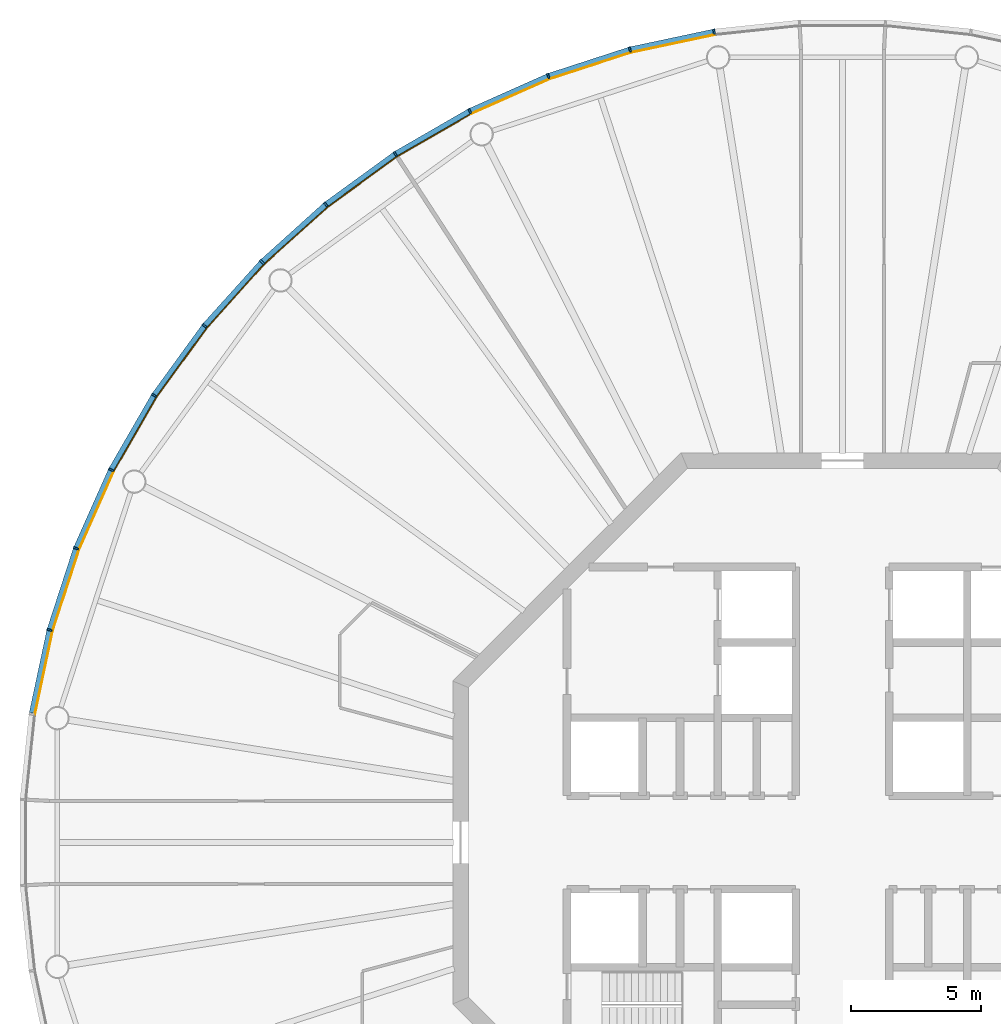
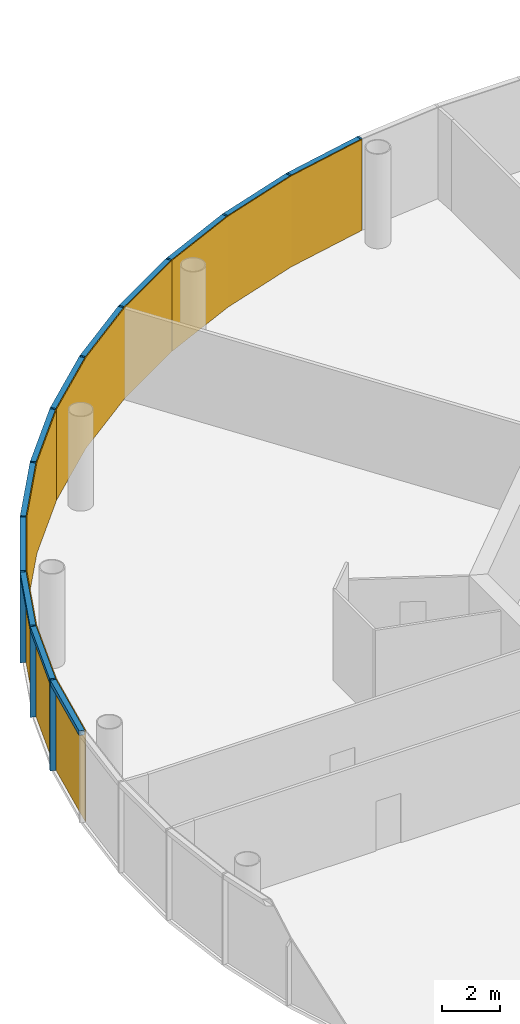
# One storey, part 10 of 13: 24 members, 4 curtain walls.
"""IFC4 building model written with IfcOpenShell, lengths in metres."""

from ifc_helpers import new_model, si_unit, direction, frame, origin, origin_2d, place, context, subcontext, project, spatial, polyline, rectangle, outline, extrude, material, layer, layer_set, material_profile, profile_set, type_object, element, aggregate, save


model = new_model("IFC4")

# Units and contexts
model_context = context("Model", 3, precision=1e-05, world=origin(), true_north=direction((0.0, 1.0)))
body_context = subcontext(model_context, "Body", "Model", "MODEL_VIEW")
ifc_project = project(units=[si_unit("LENGTHUNIT", "METRE"), si_unit("AREAUNIT", "SQUARE_METRE"), si_unit("VOLUMEUNIT", "CUBIC_METRE"), si_unit("PLANEANGLEUNIT", "RADIAN"), si_unit("MASSUNIT", "GRAM", prefix="KILO")], contexts=[model_context])

# Member
ifc_material_1 = material(Name="Anodised aluminium", Category="aluminium")
ifc_material_profile_1 = material_profile(ifc_material_1, rectangle(XDim=0.070068359375, YDim=0.205078125, at=origin_2d()), Name="Mullion 70 x 205 mm anodised aluminium")
ifc_profile_set_1 = profile_set([ifc_material_profile_1], Name="Anodised aluminium")
member_type_1 = type_object("IfcMemberType", Name="Mullion 70 x 205 mm anodised aluminium", PredefinedType="MULLION", material=ifc_profile_set_1)
site_placement = place(None, origin())
building_placement = place(site_placement, origin())
storey_placement = place(building_placement, frame((0.0, 0.0, 340.0)))
member_1_placement = place(storey_placement, frame((85.056396484375, 111.21337890625, 0.0), z_axis=(0.0, 0.0, 1.0), x_axis=(-0.987688340595, -0.15643446504, 0.0)))
member_1 = element("IfcMember", 1, at=member_1_placement, type_object=member_type_1, Name="MULLION L78-15", PredefinedType="MULLION", context=body_context, shape_type="SweptSolid", body=[
    extrude(rectangle(XDim=0.070068359375, YDim=0.205078125, at=origin_2d()), origin(), (0.0, 0.0, 1.0), 3.85009765625),
])

member_2_placement = place(storey_placement, frame((81.820556640625, 110.525634765625, 0.0), z_axis=(0.0, 0.0, 1.0), x_axis=(-0.965925826289, -0.258819045103, 0.0)))
member_2 = element("IfcMember", 2, at=member_2_placement, type_object=member_type_1, Name="MULLION L78-16", PredefinedType="MULLION", context=body_context, shape_type="SweptSolid", body=[
    extrude(rectangle(XDim=0.070068359375, YDim=0.205078125, at=origin_2d()), origin(), (0.0, 0.0, 1.0), 3.85009765625),
])

member_3_placement = place(storey_placement, frame((78.674560546875, 109.50341796875, 0.0), z_axis=(0.0, 0.0, 1.0), x_axis=(-0.933580426497, -0.358367949545, 0.0)))
member_3 = element("IfcMember", 3, at=member_3_placement, type_object=member_type_1, Name="MULLION L78-17", PredefinedType="MULLION", context=body_context, shape_type="SweptSolid", body=[
    extrude(rectangle(XDim=0.070068359375, YDim=0.205078125, at=origin_2d()), origin(), (0.0, 0.0, 1.0), 3.85009765625),
])

member_4_placement = place(storey_placement, frame((75.65283203125, 108.157958984375, 0.0), z_axis=(0.0, 0.0, 1.0), x_axis=(-0.891006524188, -0.45399049974, 0.0)))
member_4 = element("IfcMember", 4, at=member_4_placement, type_object=member_type_1, Name="MULLION L78-18", PredefinedType="MULLION", context=body_context, shape_type="SweptSolid", body=[
    extrude(rectangle(XDim=0.070068359375, YDim=0.205078125, at=origin_2d()), origin(), (0.0, 0.0, 1.0), 3.85009765625),
])

member_5_placement = place(storey_placement, frame((72.7880859375, 106.504150390625, 0.0), z_axis=(0.0, 0.0, 1.0), x_axis=(-0.838670567945, -0.544639035015, 0.0)))
member_5 = element("IfcMember", 5, at=member_5_placement, type_object=member_type_1, Name="MULLION L78-19", PredefinedType="MULLION", context=body_context, shape_type="SweptSolid", body=[
    extrude(rectangle(XDim=0.070068359375, YDim=0.205078125, at=origin_2d()), origin(), (0.0, 0.0, 1.0), 3.85009765625),
])

member_6_placement = place(storey_placement, frame((70.11181640625, 104.559814453125, 0.0), z_axis=(0.0, 0.0, 1.0), x_axis=(-0.777145961457, -0.62932039105, 0.0)))
member_6 = element("IfcMember", 6, at=member_6_placement, type_object=member_type_1, Name="MULLION L78-20", PredefinedType="MULLION", context=body_context, shape_type="SweptSolid", body=[
    extrude(rectangle(XDim=0.070068359375, YDim=0.205078125, at=origin_2d()), origin(), (0.0, 0.0, 1.0), 3.85009765625),
])

member_7_placement = place(storey_placement, frame((67.653564453125, 102.346435546875, 0.0), z_axis=(0.0, 0.0, 1.0), x_axis=(-0.707106781187, -0.707106781187, 0.0)))
member_7 = element("IfcMember", 7, at=member_7_placement, type_object=member_type_1, Name="MULLION L78-21", PredefinedType="MULLION", context=body_context, shape_type="SweptSolid", body=[
    extrude(rectangle(XDim=0.070068359375, YDim=0.205078125, at=origin_2d()), origin(), (0.0, 0.0, 1.0), 3.85009765625),
])

member_8_placement = place(storey_placement, frame((65.440185546875, 99.88818359375, 0.0), z_axis=(0.0, 0.0, 1.0), x_axis=(-0.62932039105, -0.777145961457, 0.0)))
member_8 = element("IfcMember", 8, at=member_8_placement, type_object=member_type_1, Name="MULLION L78-22", PredefinedType="MULLION", context=body_context, shape_type="SweptSolid", body=[
    extrude(rectangle(XDim=0.070068359375, YDim=0.205078125, at=origin_2d()), origin(), (0.0, 0.0, 1.0), 3.85009765625),
])

member_9_placement = place(storey_placement, frame((63.495849609375, 97.2119140625, 0.0), z_axis=(0.0, 0.0, 1.0), x_axis=(-0.544639035015, -0.838670567945, 0.0)))
member_9 = element("IfcMember", 9, at=member_9_placement, type_object=member_type_1, Name="MULLION L78-23", PredefinedType="MULLION", context=body_context, shape_type="SweptSolid", body=[
    extrude(rectangle(XDim=0.070068359375, YDim=0.205078125, at=origin_2d()), origin(), (0.0, 0.0, 1.0), 3.85009765625),
])

member_10_placement = place(storey_placement, frame((61.842041015625, 94.34716796875, 0.0), z_axis=(0.0, 0.0, 1.0), x_axis=(-0.45399049974, -0.891006524188, 0.0)))
member_10 = element("IfcMember", 10, at=member_10_placement, type_object=member_type_1, Name="MULLION L78-24", PredefinedType="MULLION", context=body_context, shape_type="SweptSolid", body=[
    extrude(rectangle(XDim=0.070068359375, YDim=0.205078125, at=origin_2d()), origin(), (0.0, 0.0, 1.0), 3.85009765625),
])

member_11_placement = place(storey_placement, frame((60.49658203125, 91.325439453125, 0.0), z_axis=(0.0, 0.0, 1.0), x_axis=(-0.358367949545, -0.933580426497, 0.0)))
member_11 = element("IfcMember", 11, at=member_11_placement, type_object=member_type_1, Name="MULLION L78-25", PredefinedType="MULLION", context=body_context, shape_type="SweptSolid", body=[
    extrude(rectangle(XDim=0.070068359375, YDim=0.205078125, at=origin_2d()), origin(), (0.0, 0.0, 1.0), 3.85009765625),
])

member_12_placement = place(storey_placement, frame((59.474365234375, 88.179443359375, 0.0), z_axis=(0.0, 0.0, 1.0), x_axis=(-0.258819045103, -0.965925826289, 0.0)))
member_12 = element("IfcMember", 12, at=member_12_placement, type_object=member_type_1, Name="MULLION L78-26", PredefinedType="MULLION", context=body_context, shape_type="SweptSolid", body=[
    extrude(rectangle(XDim=0.070068359375, YDim=0.205078125, at=origin_2d()), origin(), (0.0, 0.0, 1.0), 3.85009765625),
])

ifc_material_2 = material(Name="Anodised aluminium", Category="aluminium")
ifc_material_profile_2 = material_profile(ifc_material_2, rectangle(XDim=0.205078125, YDim=0.195068359375, at=origin_2d()), Name="Transom 195 x 205 mm anodised aluminium")
ifc_profile_set_2 = profile_set([ifc_material_profile_2], Name="Anodised aluminium")
member_type_2 = type_object("IfcMemberType", Name="Transom 195 x 205 mm anodised aluminium", PredefinedType="USERDEFINED", material=ifc_profile_set_2)
member_13_placement = place(storey_placement, frame((85.016845703125, 111.205078125, 3.75244140625), z_axis=(-0.978153082647, -0.207885898771, 0.0), x_axis=(0.207885898771, -0.978153082647, 0.0)))
member_13 = element("IfcMember", 13, at=member_13_placement, type_object=member_type_2, Name="TRANSOM L78-15", ObjectType="TRANSOM", PredefinedType="USERDEFINED", context=body_context, shape_type="SweptSolid", body=[
    extrude(rectangle(XDim=0.205078125, YDim=0.195068359375, at=origin_2d()), origin(), (0.0, 0.0, 1.0), 3.227294921875),
])

member_14_placement = place(storey_placement, frame((81.7822265625, 110.513427734375, 3.75244140625), z_axis=(-0.951046855117, -0.309046726844, 0.0), x_axis=(0.309046726844, -0.951046855117, 0.0)))
member_14 = element("IfcMember", 14, at=member_14_placement, type_object=member_type_2, Name="TRANSOM L78-16", ObjectType="TRANSOM", PredefinedType="USERDEFINED", context=body_context, shape_type="SweptSolid", body=[
    extrude(rectangle(XDim=0.205078125, YDim=0.195068359375, at=origin_2d()), origin(), (0.0, 0.0, 1.0), 3.22705078125),
])

member_15_placement = place(storey_placement, frame((78.6376953125, 109.4873046875, 3.75244140625), z_axis=(-0.913521178731, -0.406791170024, 0.0), x_axis=(0.406791170024, -0.913521178731, 0.0)))
member_15 = element("IfcMember", 15, at=member_15_placement, type_object=member_type_2, Name="TRANSOM L78-17", ObjectType="TRANSOM", PredefinedType="USERDEFINED", context=body_context, shape_type="SweptSolid", body=[
    extrude(rectangle(XDim=0.205078125, YDim=0.195068359375, at=origin_2d()), origin(), (0.0, 0.0, 1.0), 3.22705078125),
])

member_16_placement = place(storey_placement, frame((75.61767578125, 108.137939453125, 3.75244140625), z_axis=(-0.866023062494, -0.500004055213, 0.0), x_axis=(0.500004055213, -0.866023062494, 0.0)))
member_16 = element("IfcMember", 16, at=member_16_placement, type_object=member_type_2, Name="TRANSOM L78-18", ObjectType="TRANSOM", PredefinedType="USERDEFINED", context=body_context, shape_type="SweptSolid", body=[
    extrude(rectangle(XDim=0.205078125, YDim=0.195068359375, at=origin_2d()), origin(), (0.0, 0.0, 1.0), 3.22705078125),
])

member_17_placement = place(storey_placement, frame((72.75537109375, 106.48046875, 3.75244140625), z_axis=(-0.809004252048, -0.587802790201, 0.0), x_axis=(0.587802790201, -0.809004252048, 0.0)))
member_17 = element("IfcMember", 17, at=member_17_placement, type_object=member_type_2, Name="TRANSOM L78-19", ObjectType="TRANSOM", PredefinedType="USERDEFINED", context=body_context, shape_type="SweptSolid", body=[
    extrude(rectangle(XDim=0.205078125, YDim=0.195068359375, at=origin_2d()), origin(), (0.0, 0.0, 1.0), 3.227294921875),
])

member_18_placement = place(storey_placement, frame((70.081787109375, 104.532958984375, 3.75244140625), z_axis=(-0.743132370743, -0.669144438484, 0.0), x_axis=(0.669144438484, -0.743132370743, 0.0)))
member_18 = element("IfcMember", 18, at=member_18_placement, type_object=member_type_2, Name="TRANSOM L78-20", ObjectType="TRANSOM", PredefinedType="USERDEFINED", context=body_context, shape_type="SweptSolid", body=[
    extrude(rectangle(XDim=0.205078125, YDim=0.195068359375, at=origin_2d()), origin(), (0.0, 0.0, 1.0), 3.22705078125),
])

member_19_placement = place(storey_placement, frame((67.62646484375, 102.31640625, 3.75244140625), z_axis=(-0.669144438484, -0.743132370743, 0.0), x_axis=(0.743132370743, -0.669144438484, 0.0)))
member_19 = element("IfcMember", 19, at=member_19_placement, type_object=member_type_2, Name="TRANSOM L78-21", ObjectType="TRANSOM", PredefinedType="USERDEFINED", context=body_context, shape_type="SweptSolid", body=[
    extrude(rectangle(XDim=0.205078125, YDim=0.195068359375, at=origin_2d()), origin(), (0.0, 0.0, 1.0), 3.22705078125),
])

member_20_placement = place(storey_placement, frame((65.41650390625, 99.85546875, 3.75244140625), z_axis=(-0.587802790201, -0.809004252048, 0.0), x_axis=(0.809004252048, -0.587802790201, 0.0)))
member_20 = element("IfcMember", 20, at=member_20_placement, type_object=member_type_2, Name="TRANSOM L78-22", ObjectType="TRANSOM", PredefinedType="USERDEFINED", context=body_context, shape_type="SweptSolid", body=[
    extrude(rectangle(XDim=0.205078125, YDim=0.195068359375, at=origin_2d()), origin(), (0.0, 0.0, 1.0), 3.227294921875),
])

member_21_placement = place(storey_placement, frame((63.4755859375, 97.177001953125, 3.75244140625), z_axis=(-0.500004055213, -0.866023062494, 0.0), x_axis=(0.866023062494, -0.500004055213, 0.0)))
member_21 = element("IfcMember", 21, at=member_21_placement, type_object=member_type_2, Name="TRANSOM L78-23", ObjectType="TRANSOM", PredefinedType="USERDEFINED", context=body_context, shape_type="SweptSolid", body=[
    extrude(rectangle(XDim=0.205078125, YDim=0.195068359375, at=origin_2d()), origin(), (0.0, 0.0, 1.0), 3.22705078125),
])

member_22_placement = place(storey_placement, frame((61.825439453125, 94.310302734375, 3.75244140625), z_axis=(-0.406791170024, -0.913521178731, 0.0), x_axis=(0.913521178731, -0.406791170024, 0.0)))
member_22 = element("IfcMember", 22, at=member_22_placement, type_object=member_type_2, Name="TRANSOM L78-24", ObjectType="TRANSOM", PredefinedType="USERDEFINED", context=body_context, shape_type="SweptSolid", body=[
    extrude(rectangle(XDim=0.205078125, YDim=0.195068359375, at=origin_2d()), origin(), (0.0, 0.0, 1.0), 3.22705078125),
])

member_23_placement = place(storey_placement, frame((60.48388671875, 91.286865234375, 3.75244140625), z_axis=(-0.309046726844, -0.951046855117, 0.0), x_axis=(0.951046855117, -0.309046726844, 0.0)))
member_23 = element("IfcMember", 23, at=member_23_placement, type_object=member_type_2, Name="TRANSOM L78-25", ObjectType="TRANSOM", PredefinedType="USERDEFINED", context=body_context, shape_type="SweptSolid", body=[
    extrude(rectangle(XDim=0.205078125, YDim=0.195068359375, at=origin_2d()), origin(), (0.0, 0.0, 1.0), 3.22705078125),
])

member_24_placement = place(storey_placement, frame((59.4658203125, 88.139892578125, 3.75244140625), z_axis=(-0.207885898771, -0.978153082647, 0.0), x_axis=(0.978153082647, -0.207885898771, 0.0)))
member_24 = element("IfcMember", 24, at=member_24_placement, type_object=member_type_2, Name="TRANSOM L78-26", ObjectType="TRANSOM", PredefinedType="USERDEFINED", context=body_context, shape_type="SweptSolid", body=[
    extrude(rectangle(XDim=0.205078125, YDim=0.195068359375, at=origin_2d()), origin(), (0.0, 0.0, 1.0), 3.227294921875),
])

# Site, building, storey
site = spatial("IfcSite", under=ifc_project, at=site_placement, CompositionType="ELEMENT")
building = spatial("IfcBuilding", under=site, at=building_placement, Name="Entoto Ring Tower", CompositionType="ELEMENT")
storey = spatial("IfcBuildingStorey", under=building, at=storey_placement, Name="L78", CompositionType="ELEMENT", Elevation=340.0)

# Curtain wall
ifc_material_3 = material(Name="Clear low-iron glass", Category="glass")
ifc_layer = layer(ifc_material_3, 0.035888671875)
ifc_layer_set = layer_set([ifc_layer], Name="Clear low-iron glass")
curtain_wall_type = type_object("IfcCurtainWallType", Name="Curtain wall system CW6 glazing 36 mm", PredefinedType="NOTDEFINED", material=ifc_layer_set)
curtain_wall_1_placement = place(storey_placement, origin())
curtain_wall_1 = element("IfcCurtainWall", 25, at=curtain_wall_1_placement, inside=storey, type_object=curtain_wall_type, Name="CW6 L78-06", PredefinedType="NOTDEFINED", context=body_context, shape_type="SweptSolid", body=[
    extrude(outline(polyline([(85.072265625, 111.1123046875), (81.84716796875, 110.4267578125), (78.71142578125, 109.40771484375), (75.69921875, 108.066650390625), (75.715576171875, 108.03466796875), (78.724365234375, 109.3740234375), (81.8564453125, 110.391845703125), (85.077880859375, 111.07666015625), (85.072265625, 111.1123046875)])), origin(), (0.0, 0.0, 1.0), 3.85009765625),
])

aggregate(curtain_wall_1, [member_1, member_2, member_3, member_13, member_14, member_15])

curtain_wall_2_placement = place(storey_placement, origin())
curtain_wall_2 = element("IfcCurtainWall", 26, at=curtain_wall_2_placement, inside=storey, type_object=curtain_wall_type, Name="CW6 L78-07", PredefinedType="NOTDEFINED", context=body_context, shape_type="SweptSolid", body=[
    extrude(outline(polyline([(75.69921875, 108.066650390625), (72.84375, 106.418212890625), (70.176513671875, 104.47998046875), (67.72607421875, 102.27392578125), (67.751708984375, 102.248291015625), (70.198974609375, 104.4521484375), (72.863525390625, 106.387939453125), (75.715576171875, 108.03466796875), (75.69921875, 108.066650390625)])), origin(), (0.0, 0.0, 1.0), 3.85009765625),
])

aggregate(curtain_wall_2, [member_4, member_5, member_6, member_16, member_17, member_18])

curtain_wall_3_placement = place(storey_placement, origin())
curtain_wall_3 = element("IfcCurtainWall", 27, at=curtain_wall_3_placement, inside=storey, type_object=curtain_wall_type, Name="CW6 L78-08", PredefinedType="NOTDEFINED", context=body_context, shape_type="SweptSolid", body=[
    extrude(outline(polyline([(67.72607421875, 102.27392578125), (65.52001953125, 99.823486328125), (63.581787109375, 97.15625), (61.933349609375, 94.30078125), (61.96533203125, 94.284423828125), (63.612060546875, 97.136474609375), (65.5478515625, 99.801025390625), (67.751708984375, 102.248291015625), (67.72607421875, 102.27392578125)])), origin(), (0.0, 0.0, 1.0), 3.85009765625),
])

aggregate(curtain_wall_3, [member_7, member_8, member_9, member_19, member_20, member_21])

curtain_wall_4_placement = place(storey_placement, origin())
curtain_wall_4 = element("IfcCurtainWall", 28, at=curtain_wall_4_placement, inside=storey, type_object=curtain_wall_type, Name="CW6 L78-09", PredefinedType="NOTDEFINED", context=body_context, shape_type="SweptSolid", body=[
    extrude(outline(polyline([(61.933349609375, 94.30078125), (60.59228515625, 91.28857421875), (59.5732421875, 88.15283203125), (58.8876953125, 84.927734375), (58.92333984375, 84.922119140625), (59.608154296875, 88.1435546875), (60.6259765625, 91.275634765625), (61.96533203125, 94.284423828125), (61.933349609375, 94.30078125)])), origin(), (0.0, 0.0, 1.0), 3.85009765625),
])

aggregate(curtain_wall_4, [member_10, member_11, member_12, member_22, member_23, member_24])

save(model, "model.ifc")
